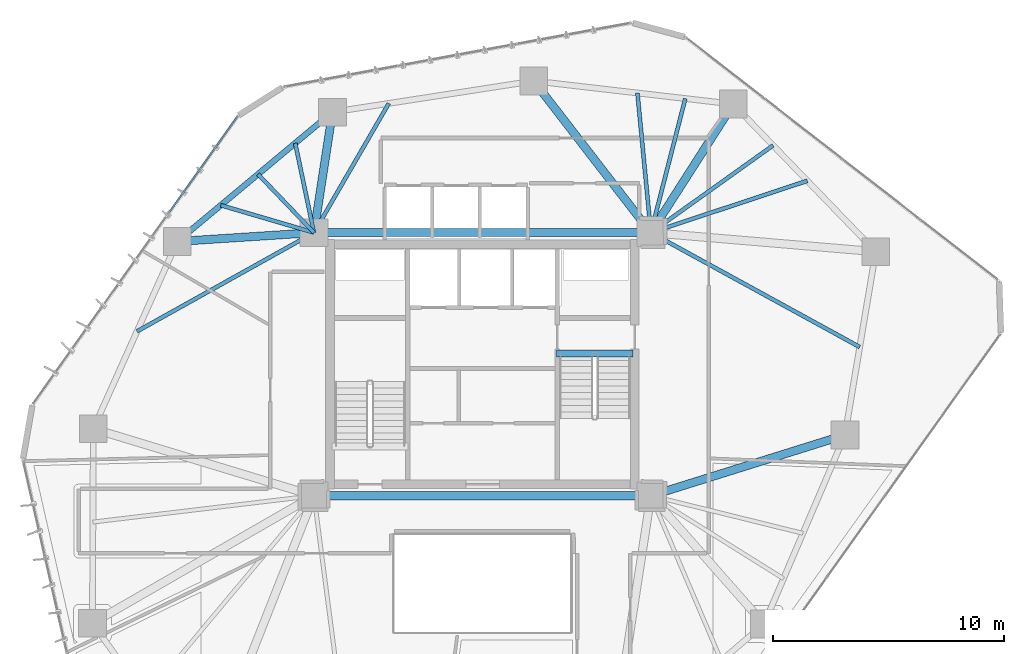
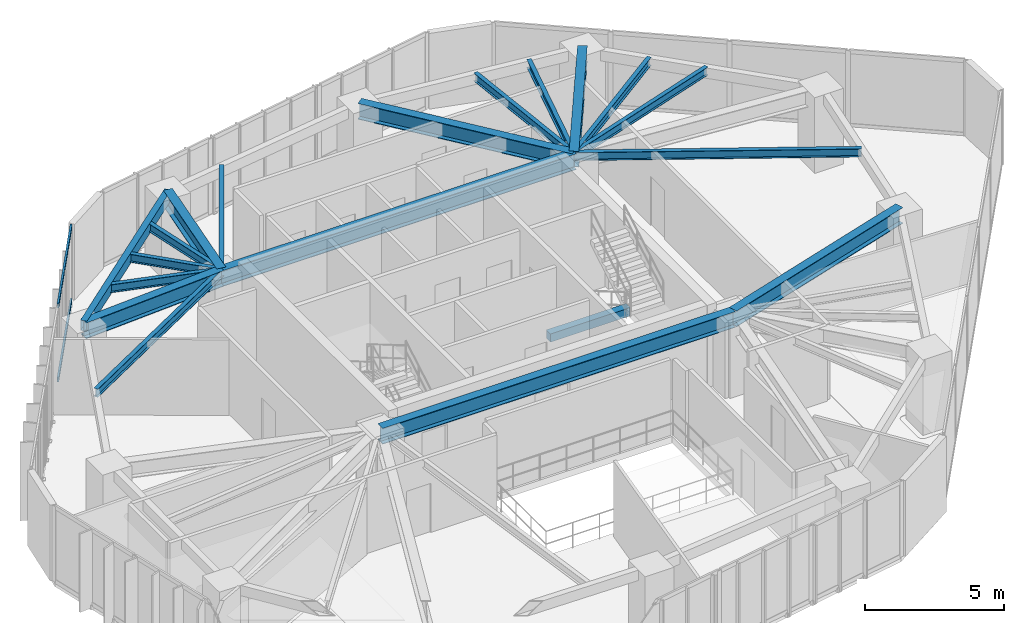
# One storey, part 10 of 22: 19 beams, 2 members, 1 element without a shape of its own.
"""IFC4 building model written with IfcOpenShell, lengths in metres."""

from ifc_helpers import new_model, si_unit, direction, frame, origin, origin_2d, place, context, subcontext, project, spatial, rectangle, hollow_rectangle, i_section, extrude, source, transform, mapped, material, layer, layer_set, material_profile, profile_set, type_object, type_shapes, element, aggregate, save


model = new_model("IFC4")

# Units and contexts
model_context = context("Model", 3, precision=1e-05, world=origin(), true_north=direction((0.0, 1.0)))
body_context = subcontext(model_context, "Body", "Model", "MODEL_VIEW")
ifc_project = project(units=[si_unit("LENGTHUNIT", "METRE"), si_unit("AREAUNIT", "SQUARE_METRE"), si_unit("VOLUMEUNIT", "CUBIC_METRE"), si_unit("PLANEANGLEUNIT", "RADIAN"), si_unit("MASSUNIT", "GRAM", prefix="KILO")], contexts=[model_context])

# Site, building, storey
site_placement = place(None, origin())
site = spatial("IfcSite", under=ifc_project, at=site_placement, CompositionType="ELEMENT")
building_placement = place(site_placement, origin())
building = spatial("IfcBuilding", under=site, at=building_placement, Name="Talar Marvaseh", CompositionType="ELEMENT")
storey_placement = place(building_placement, frame((0.0, 0.0, 121.800048828125)))
storey = spatial("IfcBuildingStorey", under=building, at=storey_placement, Name="L31", CompositionType="ELEMENT", Elevation=121.800048828125)

# Beams
ifc_material_1 = material(Name="Concrete C40/50", Category="concrete")
ifc_material_profile_1 = material_profile(ifc_material_1, rectangle(XDim=0.300048828125, YDim=0.360107421875, at=origin_2d()), Name="RC300x360")
ifc_profile_set_1 = profile_set([ifc_material_profile_1], Name="Concrete C40/50")
beam_type_1 = type_object("IfcBeamType", Name="Concrete Stair Landing Trimmer Beam RC300x360", PredefinedType="SPANDREL", material=ifc_profile_set_1)
beam_1_placement = place(storey_placement, frame((29.219970703125, 31.669921875, -0.179931640625), z_axis=(1.0, 0.0, 0.0), x_axis=(0.0, 1.0, 0.0)))
element("IfcBeam", 1, at=beam_1_placement, inside=storey, type_object=beam_type_1, Name="L31 ST-2 Stair Nosing Trimmer Beam", PredefinedType="SPANDREL", context=body_context, shape_type="SweptSolid", body=[
    extrude(rectangle(XDim=0.300048828125, YDim=0.360107421875, at=origin_2d()), origin(), (0.0, 0.0, 1.0), 3.300048828125),
])
ifc_material_2 = material(Name="Steel S355", Category="steel")
ifc_material_profile_2 = material_profile(ifc_material_2, hollow_rectangle(XDim=0.25, YDim=0.449951171875, WallThickness=0.01611328125, at=origin_2d()), Name="RHS450x250x16")
ifc_profile_set_2 = profile_set([ifc_material_profile_2], Name="Steel S355")
beam_type_2 = type_object("IfcBeamType", Name="Zone 2 Perimeter Spandrel Beam RHS450x250x16", PredefinedType="SPANDREL", material=ifc_profile_set_2)
beam_2_placement = place(storey_placement, frame((12.780029296875, 36.51708984375, 3.0849609375), z_axis=(0.76793081465, 0.640532796905, 0.0), x_axis=(-0.640532796905, 0.76793081465, 0.0)))
element("IfcBeam", 2, at=beam_2_placement, inside=storey, type_object=beam_type_2, Name="L31 Zone 2 Perimeter Spandrel Beam RHS450x250x16", PredefinedType="SPANDREL", context=body_context, shape_type="SweptSolid", body=[
    extrude(hollow_rectangle(XDim=0.25, YDim=0.449951171875, WallThickness=0.01611328125, at=origin_2d()), origin(), (0.0, 0.0, 1.0), 8.751953125),
])
ifc_material_profile_3 = material_profile(ifc_material_2, i_section(OverallWidth=0.35498046875, OverallDepth=0.695068359375, WebThickness=0.015380859375, FlangeThickness=0.02490234375, at=origin_2d()), Name="W690x217")
ifc_profile_set_3 = profile_set([ifc_material_profile_3], Name="Steel S355")
beam_type_3 = type_object("IfcBeamType", Name="Zone 2 Radial Floor Girder W690x217", PredefinedType="BEAM", material=ifc_profile_set_3)
for number, where, z_axis, x_axis, name in (
    (3, (18.699951171875, 25.5, 2.96240234375), (1.0, 0.0, 0.0), (0.0, 1.0, 0.0), "L31 Zone 2 Radial Floor Girder W690x217"),
    (4, (18.699951171875, 36.89990234375, 2.96240234375), (1.0, 0.0, 0.0), (0.0, 1.0, 0.0), "L31 Zone 2 Radial Floor Girder W690x217"),
):
    element("IfcBeam", number, at=place(storey_placement, frame(where, z_axis=z_axis, x_axis=x_axis)), inside=storey, type_object=beam_type_3, Name=name, PredefinedType="BEAM", context=body_context, shape_type="SweptSolid", body=[
        extrude(i_section(OverallWidth=0.35498046875, OverallDepth=0.695068359375, WebThickness=0.015380859375, FlangeThickness=0.02490234375, at=origin_2d()), origin(), (0.0, 0.0, 1.0), 14.60009765625),
    ])
beam_3_placement = place(storey_placement, frame((36.865966796875, 42.470947265625, 2.96240234375), z_axis=(-0.539101874952, -0.842240564461, 0.0), x_axis=(0.842240564461, -0.539101874952, 0.0)))
element("IfcBeam", 5, at=beam_3_placement, inside=storey, type_object=beam_type_3, Name="L31 Zone 2 Radial Floor Girder W690x217", PredefinedType="BEAM", context=body_context, shape_type="SweptSolid", body=[
    extrude(i_section(OverallWidth=0.35498046875, OverallDepth=0.695068359375, WebThickness=0.015380859375, FlangeThickness=0.02490234375, at=origin_2d()), origin(), (0.0, 0.0, 1.0), 6.614501953125),
])
beam_4_placement = place(storey_placement, frame((41.708984375, 28.1279296875, 2.96240234375), z_axis=(-0.954475540106, -0.298289194138, 0.0), x_axis=(0.298289194138, -0.954475540106, 0.0)))
element("IfcBeam", 6, at=beam_4_placement, inside=storey, type_object=beam_type_3, Name="L31 Zone 2 Radial Floor Girder W690x217", PredefinedType="BEAM", context=body_context, shape_type="SweptSolid", body=[
    extrude(i_section(OverallWidth=0.35498046875, OverallDepth=0.695068359375, WebThickness=0.015380859375, FlangeThickness=0.02490234375, at=origin_2d()), origin(), (0.0, 0.0, 1.0), 8.81005859375),
])
beam_5_placement = place(storey_placement, frame((12.780029296875, 36.51708984375, 2.96240234375), z_axis=(0.997915745008, 0.064530348407, 0.0), x_axis=(-0.064530348407, 0.997915745008, 0.0)))
element("IfcBeam", 7, at=beam_5_placement, inside=storey, type_object=beam_type_3, Name="L31 Zone 2 Radial Floor Girder W690x217", PredefinedType="BEAM", context=body_context, shape_type="SweptSolid", body=[
    extrude(i_section(OverallWidth=0.35498046875, OverallDepth=0.695068359375, WebThickness=0.015380859375, FlangeThickness=0.02490234375, at=origin_2d()), origin(), (0.0, 0.0, 1.0), 5.932373046875),
])
beam_6_placement = place(storey_placement, frame((19.5009765625, 42.123046875, 2.96240234375), z_axis=(-0.151588471466, -0.98844369355, 0.0), x_axis=(0.98844369355, -0.151588471466, 0.0)))
element("IfcBeam", 8, at=beam_6_placement, inside=storey, type_object=beam_type_3, Name="L31 Zone 2 Radial Floor Girder W690x217", PredefinedType="BEAM", context=body_context, shape_type="SweptSolid", body=[
    extrude(i_section(OverallWidth=0.35498046875, OverallDepth=0.695068359375, WebThickness=0.015380859375, FlangeThickness=0.02490234375, at=origin_2d()), origin(), (0.0, 0.0, 1.0), 5.2841796875),
])
beam_7_placement = place(storey_placement, frame((28.221923828125, 43.471923828125, 2.96240234375), z_axis=(0.611428258763, -0.791299870079, 0.0), x_axis=(0.791299870079, 0.611428258763, 0.0)))
element("IfcBeam", 9, at=beam_7_placement, inside=storey, type_object=beam_type_3, Name="L31 Zone 2 Radial Floor Girder W690x217", PredefinedType="BEAM", context=body_context, shape_type="SweptSolid", body=[
    extrude(i_section(OverallWidth=0.35498046875, OverallDepth=0.695068359375, WebThickness=0.015380859375, FlangeThickness=0.02490234375, at=origin_2d()), origin(), (0.0, 0.0, 1.0), 8.305419921875),
])
ifc_material_profile_4 = material_profile(ifc_material_2, i_section(OverallWidth=0.172119140625, OverallDepth=0.35791015625, WebThickness=0.0078125, FlangeThickness=0.01318359375, at=origin_2d()), Name="W360x57")
ifc_profile_set_4 = profile_set([ifc_material_profile_4], Name="Steel S355")
beam_type_4 = type_object("IfcBeamType", Name="Zone 2 Secondary Floor Joist W360x57", PredefinedType="JOIST", material=ifc_profile_set_4)
beam_8_placement = place(storey_placement, frame((38.595703125, 40.680419921875, 3.130859375), z_axis=(-0.813885558782, -0.581025212195, 0.0), x_axis=(0.581025212195, -0.813885558782, 0.0)))
element("IfcBeam", 10, at=beam_8_placement, inside=storey, type_object=beam_type_4, Name="L31 Zone 2 Secondary Floor Joist W360x57", PredefinedType="JOIST", context=body_context, shape_type="SweptSolid", body=[
    extrude(i_section(OverallWidth=0.172119140625, OverallDepth=0.35791015625, WebThickness=0.0078125, FlangeThickness=0.01318359375, at=origin_2d()), origin(), (0.0, 0.0, 1.0), 6.506591796875),
])
beam_9_placement = place(storey_placement, frame((40.07861328125, 39.1455078125, 3.130859375), z_axis=(-0.949266314022, -0.314473313754, 0.0), x_axis=(0.314473313754, -0.949266314022, 0.0)))
element("IfcBeam", 11, at=beam_9_placement, inside=storey, type_object=beam_type_4, Name="L31 Zone 2 Secondary Floor Joist W360x57", PredefinedType="JOIST", context=body_context, shape_type="SweptSolid", body=[
    extrude(i_section(OverallWidth=0.172119140625, OverallDepth=0.35791015625, WebThickness=0.0078125, FlangeThickness=0.01318359375, at=origin_2d()), origin(), (0.0, 0.0, 1.0), 7.140869140625),
])
beam_10_placement = place(storey_placement, frame((42.349853515625, 31.943115234375, 3.130859375), z_axis=(-0.877057817553, 0.480384829766, 0.0), x_axis=(-0.480384829766, -0.877057817553, 0.0)))
element("IfcBeam", 12, at=beam_10_placement, inside=storey, type_object=beam_type_4, Name="L31 Zone 2 Secondary Floor Joist W360x57", PredefinedType="JOIST", context=body_context, shape_type="SweptSolid", body=[
    extrude(i_section(OverallWidth=0.172119140625, OverallDepth=0.35791015625, WebThickness=0.0078125, FlangeThickness=0.01318359375, at=origin_2d()), origin(), (0.0, 0.0, 1.0), 10.318359375),
])
beam_11_placement = place(storey_placement, frame((11.03173828125, 32.621826171875, 3.130859375), z_axis=(0.873287668061, 0.487204935128, 0.0), x_axis=(-0.487204935128, 0.873287668061, 0.0)))
element("IfcBeam", 13, at=beam_11_placement, inside=storey, type_object=beam_type_4, Name="L31 Zone 2 Secondary Floor Joist W360x57", PredefinedType="JOIST", context=body_context, shape_type="SweptSolid", body=[
    extrude(i_section(OverallWidth=0.172119140625, OverallDepth=0.35791015625, WebThickness=0.0078125, FlangeThickness=0.01318359375, at=origin_2d()), origin(), (0.0, 0.0, 1.0), 8.78076171875),
])
beam_12_placement = place(storey_placement, frame((14.661865234375, 38.086669921875, 3.130859375), z_axis=(0.959423672171, -0.281968468587, 0.0), x_axis=(0.281968468587, 0.959423672171, 0.0)))
element("IfcBeam", 14, at=beam_12_placement, inside=storey, type_object=beam_type_4, Name="L31 Zone 2 Secondary Floor Joist W360x57", PredefinedType="JOIST", context=body_context, shape_type="SweptSolid", body=[
    extrude(i_section(OverallWidth=0.172119140625, OverallDepth=0.35791015625, WebThickness=0.0078125, FlangeThickness=0.01318359375, at=origin_2d()), origin(), (0.0, 0.0, 1.0), 4.208984375),
])
beam_13_placement = place(storey_placement, frame((16.27490234375, 39.43212890625, 3.130859375), z_axis=(0.691657292908, -0.722225857449, 0.0), x_axis=(0.722225857449, 0.691657292908, 0.0)))
element("IfcBeam", 15, at=beam_13_placement, inside=storey, type_object=beam_type_4, Name="L31 Zone 2 Secondary Floor Joist W360x57", PredefinedType="JOIST", context=body_context, shape_type="SweptSolid", body=[
    extrude(i_section(OverallWidth=0.172119140625, OverallDepth=0.35791015625, WebThickness=0.0078125, FlangeThickness=0.01318359375, at=origin_2d()), origin(), (0.0, 0.0, 1.0), 3.506103515625),
])
beam_14_placement = place(storey_placement, frame((17.887939453125, 40.777587890625, 3.130859375), z_axis=(0.204960633597, -0.978770217505, 0.0), x_axis=(0.978770217505, 0.204960633597, 0.0)))
element("IfcBeam", 16, at=beam_14_placement, inside=storey, type_object=beam_type_4, Name="L31 Zone 2 Secondary Floor Joist W360x57", PredefinedType="JOIST", context=body_context, shape_type="SweptSolid", body=[
    extrude(i_section(OverallWidth=0.172119140625, OverallDepth=0.35791015625, WebThickness=0.0078125, FlangeThickness=0.01318359375, at=origin_2d()), origin(), (0.0, 0.0, 1.0), 3.9619140625),
])
beam_15_placement = place(storey_placement, frame((21.94287109375, 42.500732421875, 3.130859375), z_axis=(-0.501074932228, -0.865403901246, 0.0), x_axis=(0.865403901246, -0.501074932228, 0.0)))
element("IfcBeam", 17, at=beam_15_placement, inside=storey, type_object=beam_type_4, Name="L31 Zone 2 Secondary Floor Joist W360x57", PredefinedType="JOIST", context=body_context, shape_type="SweptSolid", body=[
    extrude(i_section(OverallWidth=0.172119140625, OverallDepth=0.35791015625, WebThickness=0.0078125, FlangeThickness=0.01318359375, at=origin_2d()), origin(), (0.0, 0.0, 1.0), 6.471923828125),
])
beam_16_placement = place(storey_placement, frame((32.716796875, 42.951416015625, 3.130859375), z_axis=(0.095936604223, -0.995387446159, 0.0), x_axis=(0.995387446159, 0.095936604223, 0.0)))
element("IfcBeam", 18, at=beam_16_placement, inside=storey, type_object=beam_type_4, Name="L31 Zone 2 Secondary Floor Joist W360x57", PredefinedType="JOIST", context=body_context, shape_type="SweptSolid", body=[
    extrude(i_section(OverallWidth=0.172119140625, OverallDepth=0.35791015625, WebThickness=0.0078125, FlangeThickness=0.01318359375, at=origin_2d()), origin(), (0.0, 0.0, 1.0), 6.07958984375),
])
beam_17_placement = place(storey_placement, frame((34.79150390625, 42.711181640625, 3.130859375), z_axis=(-0.248591710753, -0.968608363243, 0.0), x_axis=(0.968608363243, -0.248591710753, 0.0)))
element("IfcBeam", 19, at=beam_17_placement, inside=storey, type_object=beam_type_4, Name="L31 Zone 2 Secondary Floor Joist W360x57", PredefinedType="JOIST", context=body_context, shape_type="SweptSolid", body=[
    extrude(i_section(OverallWidth=0.172119140625, OverallDepth=0.35791015625, WebThickness=0.0078125, FlangeThickness=0.01318359375, at=origin_2d()), origin(), (0.0, 0.0, 1.0), 5.99951171875),
])

# Curtain wall, members
ifc_material_3 = material(Name="Architectural Aluminium", Category="aluminium")
ifc_layer = layer(ifc_material_3, 0.199951171875)
ifc_layer_set = layer_set([ifc_layer], Name="Architectural Aluminium")
curtain_wall_type = type_object("IfcCurtainWallType", Name="Unitised Acoustic Library Curtain Wall Z2", PredefinedType="NOTDEFINED", material=ifc_layer_set)
curtain_wall_placement = place(storey_placement, origin())
curtain_wall = element("IfcCurtainWall", 20, at=curtain_wall_placement, inside=storey, type_object=curtain_wall_type, Name="L31 Unitised Acoustic Library Curtain Wall Z2", PredefinedType="NOTDEFINED")
ifc_material_profile_5 = material_profile(ifc_material_3, hollow_rectangle(XDim=0.074951171875, YDim=0.179931640625, WallThickness=0.0048828125, at=origin_2d()), Name="RHS180x75x5")
ifc_profile_set_5 = profile_set([ifc_material_profile_5], Name="Architectural Aluminium")
member_type = type_object("IfcMemberType", Name="Unitised Curtain Wall Transom RHS180x75x5", PredefinedType="USERDEFINED", material=ifc_profile_set_5)
shared_shape = source(origin(), body_context, "Body", "SweptSolid", [
    extrude(hollow_rectangle(XDim=0.074951171875, YDim=0.179931640625, WallThickness=0.0048828125, at=origin_2d()), origin(), (0.0, 0.0, 1.0), 5.017578125),
])
type_shapes(member_type, [shared_shape])
member_1_placement = place(storey_placement, frame((12.468017578125, 37.825927734375, 0.037353515625), z_axis=(0.579741355213, 0.814800565203, 0.0), x_axis=(-0.814800565203, 0.579741355213, 0.0)))
member_1 = element("IfcMember", 21, at=member_1_placement, type_object=member_type, Name="CW-Z2 transom 3.1", ObjectType="TRANSOM", PredefinedType="USERDEFINED", context=body_context, shape_type="MappedRepresentation", body=[
    mapped(shared_shape, transform((0.0, 0.0, 0.0), x_axis=(1.0, 0.0, 0.0), y_axis=(0.0, 1.0, 0.0), z_axis=(0.0, 0.0, 1.0), scale=1.0)),
])
member_2_placement = place(storey_placement, frame((12.468017578125, 37.825927734375, 3.2724609375), z_axis=(0.579741355213, 0.814800565203, 0.0), x_axis=(-0.814800565203, 0.579741355213, 0.0)))
member_2 = element("IfcMember", 22, at=member_2_placement, type_object=member_type, Name="CW-Z2 transom 3.2", ObjectType="TRANSOM", PredefinedType="USERDEFINED", context=body_context, shape_type="MappedRepresentation", body=[
    mapped(shared_shape, transform((0.0, 0.0, 0.0), x_axis=(1.0, 0.0, 0.0), y_axis=(0.0, 1.0, 0.0), z_axis=(0.0, 0.0, 1.0), scale=1.0)),
])
aggregate(curtain_wall, [member_1, member_2])

save(model, "model.ifc")
